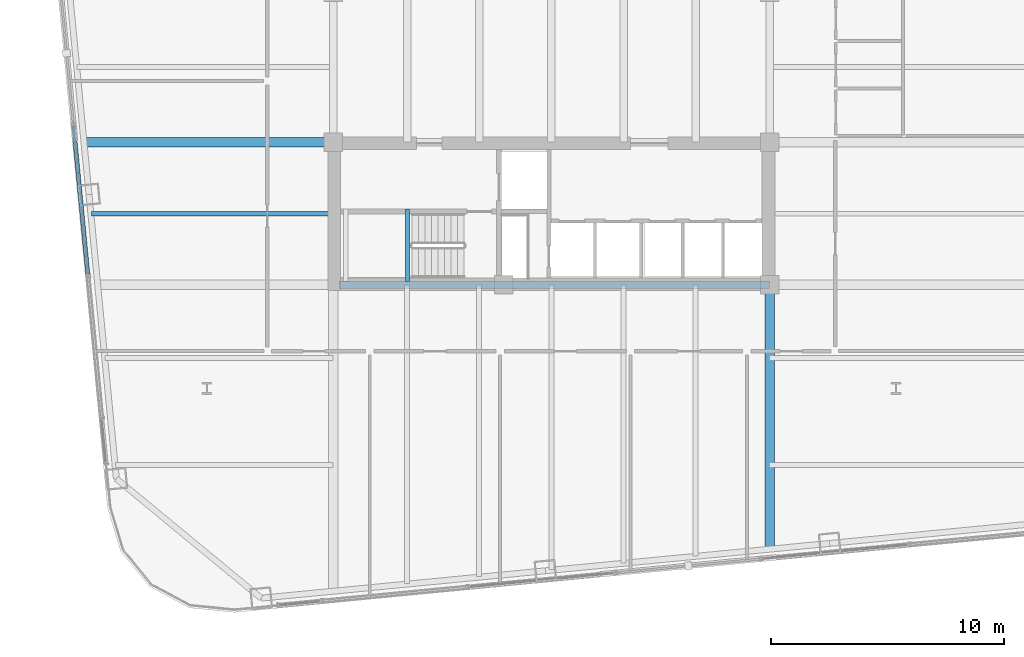
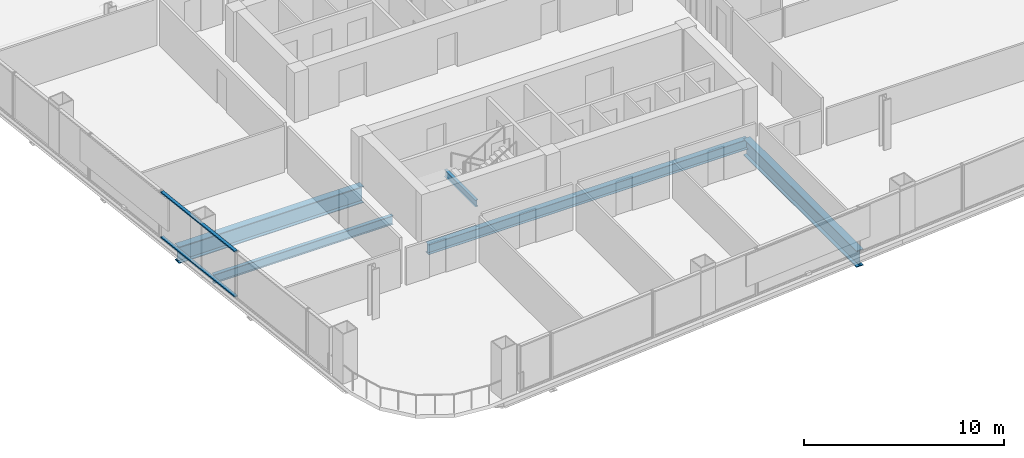
# One storey, part 8 of 34: 5 beams, 2 members, 1 element without a shape of its own.
"""IFC4 building model written with IfcOpenShell, lengths in metres."""

from ifc_helpers import new_model, si_unit, direction, frame, origin, origin_2d, place, context, subcontext, project, spatial, hollow_rectangle, i_section, extrude, material, layer, layer_set, material_profile, profile_set, type_object, element, aggregate, save


model = new_model("IFC4")

# Units and contexts
model_context = context("Model", 3, precision=1e-05, world=origin(), true_north=direction((0.0, 1.0)))
body_context = subcontext(model_context, "Body", "Model", "MODEL_VIEW")
ifc_project = project(units=[si_unit("LENGTHUNIT", "METRE"), si_unit("AREAUNIT", "SQUARE_METRE"), si_unit("VOLUMEUNIT", "CUBIC_METRE"), si_unit("PLANEANGLEUNIT", "RADIAN"), si_unit("MASSUNIT", "GRAM", prefix="KILO")], contexts=[model_context])

# Site, building, storey
site_placement = place(None, origin())
site = spatial("IfcSite", under=ifc_project, at=site_placement, CompositionType="ELEMENT")
building_placement = place(site_placement, origin())
building = spatial("IfcBuilding", under=site, at=building_placement, Name="Qhalaya Broadcast Tower", CompositionType="ELEMENT")
storey_placement = place(building_placement, frame((0.0, 0.0, 78.60009765625)))
storey = spatial("IfcBuildingStorey", under=building, at=storey_placement, Name="L22", CompositionType="ELEMENT", Elevation=78.60009765625)

# Beams
ifc_material_1 = material(Name="Structural Steel ASTM A992 Grade 50", Category="steel")
ifc_material_profile_1 = material_profile(ifc_material_1, i_section(OverallWidth=0.2099609375, OverallDepth=0.535888671875, WebThickness=0.010986328125, FlangeThickness=0.017333984375, at=origin_2d()), Name="W21X68")
ifc_profile_set_1 = profile_set([ifc_material_profile_1], Name="Structural Steel ASTM A992 Grade 50")
beam_type_1 = type_object("IfcBeamType", Name="Composite Floor Joist J02", PredefinedType="JOIST", material=ifc_profile_set_1)
beam_1_placement = place(storey_placement, frame((-19.76171875, -5.699951171875, -0.488037109375), z_axis=(1.0, 0.0, 0.0), x_axis=(0.0, 1.0, 0.0)))
element("IfcBeam", 1, at=beam_1_placement, inside=storey, type_object=beam_type_1, Name="L22 J02 L22-JWE3W-1", PredefinedType="JOIST", context=body_context, shape_type="SweptSolid", body=[
    extrude(i_section(OverallWidth=0.2099609375, OverallDepth=0.535888671875, WebThickness=0.010986328125, FlangeThickness=0.017333984375, at=origin_2d()), origin(), (0.0, 0.0, 1.0), 10.38671875),
])
ifc_material_profile_2 = material_profile(ifc_material_1, i_section(OverallWidth=0.323974609375, OverallDepth=0.612060546875, WebThickness=0.0126953125, FlangeThickness=0.01904296875, at=origin_2d()), Name="W24X104")
ifc_profile_set_2 = profile_set([ifc_material_profile_2], Name="Structural Steel ASTM A992 Grade 50")
beam_type_2 = type_object("IfcBeamType", Name="Core Frame Tie Beam B04", PredefinedType="BEAM", material=ifc_profile_set_2)
beam_2_placement = place(storey_placement, frame((-9.1201171875, -8.75, -0.526123046875), z_axis=(1.0, 0.0, 0.0), x_axis=(0.0, 1.0, 0.0)))
element("IfcBeam", 2, at=beam_2_placement, inside=storey, type_object=beam_type_2, Name="L22 B04 L22-CCS3", PredefinedType="BEAM", context=body_context, shape_type="SweptSolid", body=[
    extrude(i_section(OverallWidth=0.323974609375, OverallDepth=0.612060546875, WebThickness=0.0126953125, FlangeThickness=0.01904296875, at=origin_2d()), origin(), (0.0, 0.0, 1.0), 18.4951171875),
])
ifc_material_profile_3 = material_profile(ifc_material_1, i_section(OverallWidth=0.40087890625, OverallDepth=1.010986328125, WebThickness=0.023681640625, FlangeThickness=0.0419921875, at=origin_2d()), Name="W40X297")
ifc_profile_set_3 = profile_set([ifc_material_profile_3], Name="Structural Steel ASTM A992 Grade 50")
beam_type_3 = type_object("IfcBeamType", Name="Lower Block Primary Girder PG2", PredefinedType="USERDEFINED", material=ifc_profile_set_3)
beam_3_placement = place(storey_placement, frame((9.375, -20.089599609375, -0.7255859375), z_axis=(0.0, 1.0, 0.0), x_axis=(-1.0, 0.0, 0.0)))
element("IfcBeam", 3, at=beam_3_placement, inside=storey, type_object=beam_type_3, Name="L22 PG2 L22-PGXS2-1", ObjectType="GIRDER", PredefinedType="USERDEFINED", context=body_context, shape_type="SweptSolid", body=[
    extrude(i_section(OverallWidth=0.40087890625, OverallDepth=1.010986328125, WebThickness=0.023681640625, FlangeThickness=0.0419921875, at=origin_2d()), origin(), (0.0, 0.0, 1.0), 11.339599609375),
])
beam_4_placement = place(storey_placement, frame((-20.057861328125, -2.625, -0.7255859375), z_axis=(1.0, 0.0, 0.0), x_axis=(0.0, 1.0, 0.0)))
element("IfcBeam", 4, at=beam_4_placement, inside=storey, type_object=beam_type_3, Name="L22 PG2 L22-PGYW2-1", ObjectType="GIRDER", PredefinedType="USERDEFINED", context=body_context, shape_type="SweptSolid", body=[
    extrude(i_section(OverallWidth=0.40087890625, OverallDepth=1.010986328125, WebThickness=0.023681640625, FlangeThickness=0.0419921875, at=origin_2d()), origin(), (0.0, 0.0, 1.0), 10.682861328125),
])

# Curtain wall, members
ifc_material_2 = material(Name="Solar-Control Low-E Triple Glazing", Category="glass")
ifc_layer = layer(ifc_material_2, 0.219970703125, Name="Solar-Control Low-E Triple Glazing")
ifc_layer_set = layer_set([ifc_layer], Name="Solar-Control Low-E Triple Glazing")
curtain_wall_type = type_object("IfcCurtainWallType", Name="Even-Block 4-Storey Double-Module Curtain Wall CW-03", PredefinedType="NOTDEFINED", material=ifc_layer_set)
curtain_wall_placement = place(storey_placement, origin())
curtain_wall = element("IfcCurtainWall", 5, at=curtain_wall_placement, inside=storey, type_object=curtain_wall_type, Name="L22 Unitised Curtain Wall L22-CW-W5", PredefinedType="NOTDEFINED")
ifc_material_3 = material(Name="Anodised Aluminium 6063-T6", Category="aluminium")
ifc_material_profile_4 = material_profile(ifc_material_3, hollow_rectangle(XDim=0.074951171875, YDim=0.179931640625, WallThickness=0.00390625, at=origin_2d()), Name="ALU-TRN 75x180x4")
ifc_profile_set_4 = profile_set([ifc_material_profile_4], Name="Anodised Aluminium 6063-T6")
member_type = type_object("IfcMemberType", Name="Unitised Curtain-Wall Transom T01", PredefinedType="USERDEFINED", material=ifc_profile_set_4)
member_1_placement = place(storey_placement, frame((-20.52734375, -1.9208984375, 0.037353515625), z_axis=(0.095859052771, -0.995394917609, 0.0), x_axis=(0.0, 0.0, 1.0)))
member_1 = element("IfcMember", 6, at=member_1_placement, type_object=member_type, Name="CW-03 transom 1.1", ObjectType="TRANSOM", PredefinedType="USERDEFINED", context=body_context, shape_type="SweptSolid", body=[
    extrude(hollow_rectangle(XDim=0.074951171875, YDim=0.179931640625, WallThickness=0.00390625, at=origin_2d()), origin(), (0.0, 0.0, 1.0), 6.407958984375),
])
member_2_placement = place(storey_placement, frame((-20.52734375, -1.9208984375, 2.79248046875), z_axis=(0.095859052771, -0.995394917609, 0.0), x_axis=(0.0, 0.0, 1.0)))
member_2 = element("IfcMember", 7, at=member_2_placement, type_object=member_type, Name="CW-03 transom 1.2", ObjectType="TRANSOM", PredefinedType="USERDEFINED", context=body_context, shape_type="SweptSolid", body=[
    extrude(hollow_rectangle(XDim=0.074951171875, YDim=0.179931640625, WallThickness=0.00390625, at=origin_2d()), origin(), (0.0, 0.0, 1.0), 6.407958984375),
])
aggregate(curtain_wall, [member_1, member_2])

# Beam
ifc_material_profile_5 = material_profile(ifc_material_1, i_section(OverallWidth=0.177978515625, OverallDepth=0.406005859375, WebThickness=0.0078125, FlangeThickness=0.0126953125, at=origin_2d()), Name="W16X40")
ifc_profile_set_5 = profile_set([ifc_material_profile_5], Name="Structural Steel ASTM A992 Grade 50")
beam_type_4 = type_object("IfcBeamType", Name="Upper Perimeter Spandrel Beam SP2", PredefinedType="SPANDREL", material=ifc_profile_set_5)
beam_5_placement = place(storey_placement, frame((-6.175048828125, -8.6201171875, 1.121826171875), z_axis=(0.0, 1.0, 0.0), x_axis=(-1.0, 0.0, 0.0)))
element("IfcBeam", 8, at=beam_5_placement, inside=storey, type_object=beam_type_4, Name="L22 ST-2 Half-Landing Bearer Beam 2", PredefinedType="SPANDREL", context=body_context, shape_type="SweptSolid", body=[
    extrude(i_section(OverallWidth=0.177978515625, OverallDepth=0.406005859375, WebThickness=0.0078125, FlangeThickness=0.0126953125, at=origin_2d()), origin(), (0.0, 0.0, 1.0), 3.1201171875),
])

save(model, "model.ifc")
